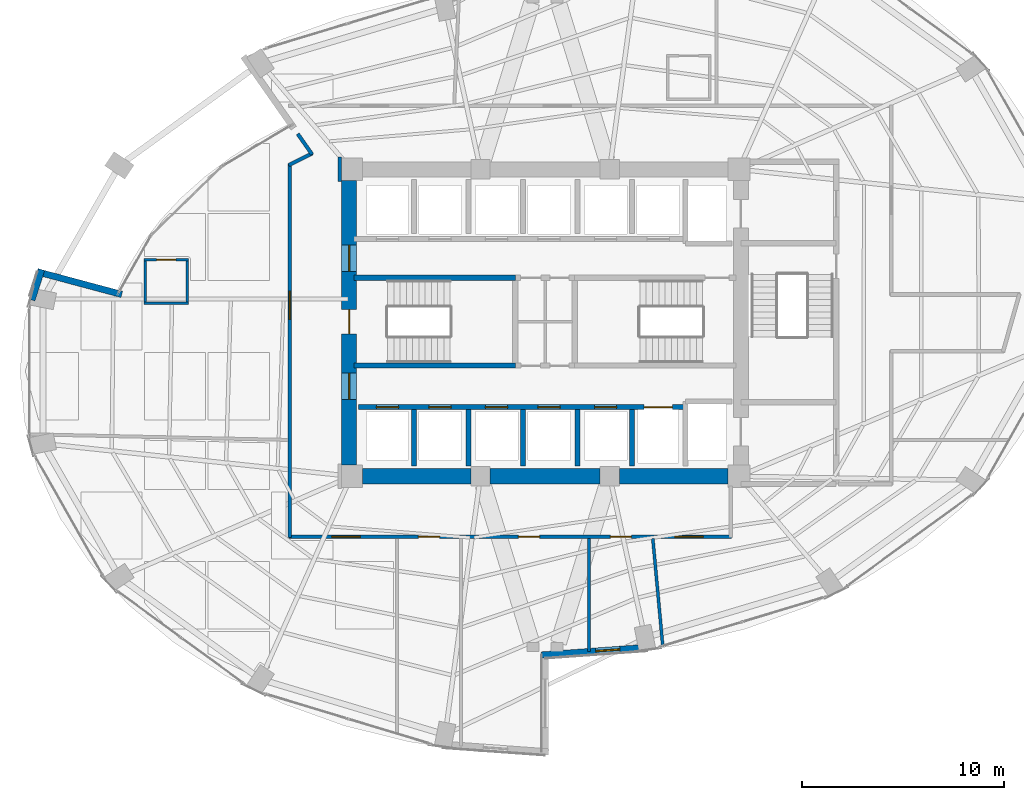
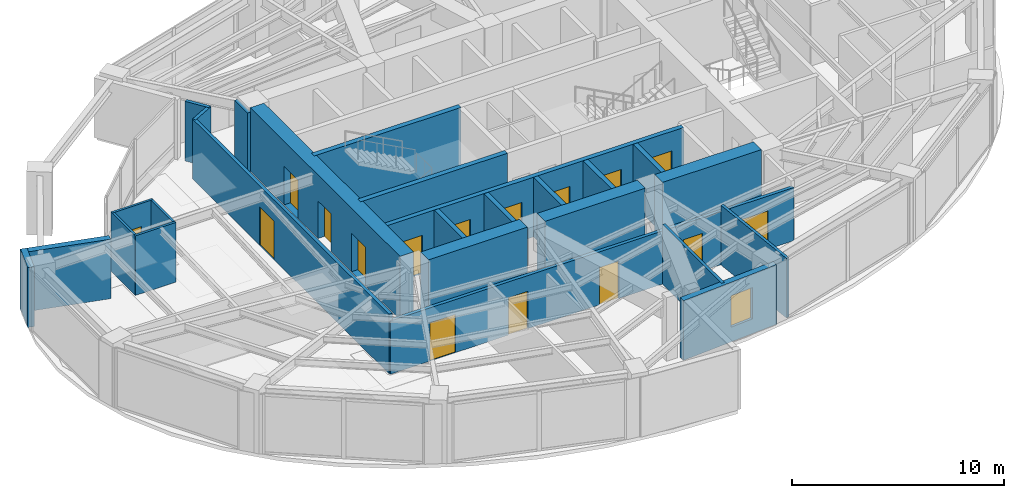
# One storey, part 20 of 24: 26 walls, 16 doors, 1 window, 17 openings.
"""IFC4 building model written with IfcOpenShell, lengths in metres."""

import ifcopenshell
import ifcopenshell.guid

model = None  # the IFC model being written
_history = None  # IfcOwnerHistory: only IFC2X3 demands one
_inside = {}  # id of a spatial element -> (the spatial element, [elements in it])
_under = {}  # id of a project, library or spatial element -> (it, [spatial elements below it])
_declared = {}  # id of a project -> (the project, [libraries it declares])
_typed = {}  # id of a type object -> (the type object, [elements of that type])
_made_of = {}  # id of a material, layer set ... -> (it, [elements and type objects made of it])


def new_model(schema):
    """Start an empty IFC model of exactly this schema.

    Asked for "IFC4X3", IfcOpenShell would pick the latest addendum, in which some entities
    have other attributes; the version numbers below select the first issue.
    IFC2X3 requires an IfcOwnerHistory on every rooted entity: one is made here for all.
    """
    global model, _history
    if schema == "IFC4X3":
        model = ifcopenshell.file(schema_version=(4, 3, 0, 0))
    else:
        model = ifcopenshell.file(schema=schema)
    _inside.clear()
    _under.clear()
    _declared.clear()
    _typed.clear()
    _made_of.clear()
    _history = None
    if model.schema == "IFC2X3":
        org = make("IfcOrganization", Name="unknown")
        user = make(
            "IfcPersonAndOrganization",
            ThePerson=make("IfcPerson", FamilyName="unknown"),
            TheOrganization=org,
        )
        app = make(
            "IfcApplication",
            ApplicationDeveloper=org,
            Version="unknown",
            ApplicationFullName="unknown",
            ApplicationIdentifier="unknown",
        )
        _history = make(
            "IfcOwnerHistory",
            OwningUser=user,
            OwningApplication=app,
            ChangeAction="ADDED",
            CreationDate=0,
        )
    return model


def make(cls, **values):
    """One entity of the class cls with the attributes given. An attribute that is None is left unset."""
    return model.create_entity(
        cls, **{name: value for name, value in values.items() if value is not None}
    )


def rooted(cls, **values):
    """An entity with a GlobalId (a new one), such as an element, a storey or a relation."""
    return make(cls, GlobalId=ifcopenshell.guid.new(), OwnerHistory=_history, **values)


def si_unit(unit_type, name, prefix=None):
    """IfcSIUnit, for example si_unit("LENGTHUNIT", "METRE", prefix="MILLI")."""
    return make("IfcSIUnit", UnitType=unit_type, Prefix=prefix, Name=name)


def assignment(units):
    """IfcUnitAssignment: the units of a project."""
    return None if units is None else make("IfcUnitAssignment", Units=units)


def point(xyz):
    """IfcCartesianPoint."""
    return None if xyz is None else make("IfcCartesianPoint", Coordinates=xyz)


def direction(xyz):
    """IfcDirection."""
    return None if xyz is None else make("IfcDirection", DirectionRatios=xyz)


def frame(location, z_axis=None, x_axis=None):
    """IfcAxis2Placement3D, a coordinate frame: its origin and axes. An axis left out is left unset."""
    return make(
        "IfcAxis2Placement3D",
        Location=point(location),
        Axis=direction(z_axis),
        RefDirection=direction(x_axis),
    )


def frame_2d(location, x_axis=None):
    """IfcAxis2Placement2D, a coordinate frame in the plane: its origin and x axis."""
    return make(
        "IfcAxis2Placement2D", Location=point(location), RefDirection=direction(x_axis)
    )


def origin():
    """The frame at (0, 0, 0) with its axes left unset."""
    return frame((0.0, 0.0, 0.0))


def place(relative_to, where):
    """IfcLocalPlacement: puts the frame where relative to a parent placement (None: the world)."""
    return make(
        "IfcLocalPlacement", PlacementRelTo=relative_to, RelativePlacement=where
    )


def context(
    kind, dimensions, precision=None, world=None, true_north=None, identifier=None
):
    """IfcGeometricRepresentationContext, for example the 3D "Model" context."""
    return make(
        "IfcGeometricRepresentationContext",
        ContextIdentifier=identifier,
        ContextType=kind,
        CoordinateSpaceDimension=dimensions,
        Precision=precision,
        WorldCoordinateSystem=world,
        TrueNorth=true_north,
    )


def subcontext(parent, identifier, kind, view, scale=None):
    """IfcGeometricRepresentationSubContext, for example "Body" below "Model"."""
    return make(
        "IfcGeometricRepresentationSubContext",
        ContextIdentifier=identifier,
        ContextType=kind,
        ParentContext=parent,
        TargetScale=scale,
        TargetView=view,
    )


def project(units=None, contexts=None):
    """IfcProject with its units and contexts."""
    return rooted(
        "IfcProject",
        Name="project",
        RepresentationContexts=contexts,
        UnitsInContext=assignment(units),
    )


def spatial(cls, under=None, at=None, **own):
    """A site, building, storey or space (cls), placed at a placement, below another one or the project."""
    s = rooted(cls, ObjectPlacement=at, **own)
    if under is not None:
        _under.setdefault(under.id(), (under, []))[1].append(s)
    return s


def profile(cls, at=None, kind="AREA", **sizes):
    """A parametric profile (cls). Its sizes go by their IFC names, for example OverallWidth=200.0."""
    return make(cls, ProfileType=kind, Position=at, **sizes)


def rectangle(**sizes):
    """IfcRectangleProfileDef."""
    return profile("IfcRectangleProfileDef", **sizes)


def extrude(swept, where, along, depth):
    """IfcExtrudedAreaSolid: the profile swept, set in the frame where, extruded along a direction by depth."""
    return make(
        "IfcExtrudedAreaSolid",
        SweptArea=swept,
        Position=where,
        ExtrudedDirection=direction(along),
        Depth=depth,
    )


def shape(context_of_items, identifier, shape_type, items):
    """IfcShapeRepresentation: the items that make up one representation, for example the "Body"."""
    return make(
        "IfcShapeRepresentation",
        ContextOfItems=context_of_items,
        RepresentationIdentifier=identifier,
        RepresentationType=shape_type,
        Items=items,
    )


def material(Name=None, Category=None):
    """IfcMaterial."""
    return make("IfcMaterial", Name=Name, Category=Category)


def layer(
    of_material, thickness, ventilated=None, Name=None, Category=None, Priority=None
):
    """IfcMaterialLayer: one layer of a wall or slab, of a material (None: an air gap)."""
    return make(
        "IfcMaterialLayer",
        Material=of_material,
        LayerThickness=thickness,
        IsVentilated=ventilated,
        Name=Name,
        Category=Category,
        Priority=Priority,
    )


def layer_set(layers, Name=None):
    """IfcMaterialLayerSet."""
    return make("IfcMaterialLayerSet", MaterialLayers=layers, LayerSetName=Name)


def made_of(thing, what):
    """Note that an element or type object is made of a material, layer set ...; save() writes the relation."""
    if what is not None:
        _made_of.setdefault(what.id(), (what, []))[1].append(thing)
    return thing


def type_object(cls, material=None, **own):
    """A type object (cls), such as IfcWallType, which elements share."""
    return made_of(rooted(cls, **own), material)


def element(
    cls,
    number,
    at=None,
    inside=None,
    cuts=None,
    type_object=None,
    material=None,
    context=None,
    identifier="Body",
    shape_type=None,
    held_by="IfcProductDefinitionShape",
    body=None,
    shapes=None,
    **own,
):
    """One element of the class cls, such as IfcWall. Its Tag is "e" and its number.

    at: its placement. inside: the storey or other place that contains it. cuts: it is an
    opening in that element (IfcRelVoidsElement). A single representation is given by context,
    identifier, shape_type and body (its items); several are given by shapes. held_by: the class
    of the entity that holds the representations. save() writes the other relations.
    """
    e = rooted(cls, Tag="e%d" % number, ObjectPlacement=at, **own)
    if body is not None:
        shapes = [shape(context, identifier, shape_type, body)]
    if shapes is not None:
        e.Representation = make(held_by, Representations=shapes)
    if inside is not None:
        _inside.setdefault(inside.id(), (inside, []))[1].append(e)
    if cuts is not None:
        rooted(
            "IfcRelVoidsElement", RelatingBuildingElement=cuts, RelatedOpeningElement=e
        )
    if type_object is not None:
        _typed.setdefault(type_object.id(), (type_object, []))[1].append(e)
    return made_of(e, material)


def fill(opening, filler):
    """IfcRelFillsElement: the door or window that sits in an opening."""
    return rooted(
        "IfcRelFillsElement",
        RelatingOpeningElement=opening,
        RelatedBuildingElement=filler,
    )


def aggregate(whole, parts):
    """IfcRelAggregates: a whole, such as a stair, and the parts it consists of."""
    return rooted("IfcRelAggregates", RelatingObject=whole, RelatedObjects=parts)


def save(model, path):
    """Write the relations noted so far, then the file.

    IfcRelAggregates (storeys below a building ...), IfcRelContainedInSpatialStructure (elements
    in a storey), IfcRelDefinesByType, IfcRelAssociatesMaterial and IfcRelDeclares: one each for
    every whole, place, type object, material and project.
    """
    for whole, parts in _under.values():
        aggregate(whole, parts)
    for where, things in _inside.values():
        rooted(
            "IfcRelContainedInSpatialStructure",
            RelatedElements=things,
            RelatingStructure=where,
        )
    for kind, things in _typed.values():
        rooted("IfcRelDefinesByType", RelatedObjects=things, RelatingType=kind)
    for what, things in _made_of.values():
        rooted("IfcRelAssociatesMaterial", RelatedObjects=things, RelatingMaterial=what)
    for by, libraries in _declared.values():
        rooted("IfcRelDeclares", RelatingContext=by, RelatedDefinitions=libraries)
    model.write(path)


model = new_model("IFC4")

# Units and contexts
model_context = context("Model", 3, precision=1e-05, world=origin(), true_north=direction((0.0, 1.0)))
body_context = subcontext(model_context, "Body", "Model", "MODEL_VIEW")
ifc_project = project(units=[si_unit("LENGTHUNIT", "METRE"), si_unit("AREAUNIT", "SQUARE_METRE"), si_unit("VOLUMEUNIT", "CUBIC_METRE"), si_unit("PLANEANGLEUNIT", "RADIAN"), si_unit("MASSUNIT", "GRAM", prefix="KILO")], contexts=[model_context])

# Site, building, storey
site_placement = place(None, origin())
site = spatial("IfcSite", under=ifc_project, at=site_placement, CompositionType="ELEMENT")
building_placement = place(site_placement, origin())
building = spatial("IfcBuilding", under=site, at=building_placement, Name="Lazwardi Medical Tower", CompositionType="ELEMENT")
storey_placement = place(building_placement, frame((0.0, 0.0, 114.575927734375)))
storey = spatial("IfcBuildingStorey", under=building, at=storey_placement, Name="L29", CompositionType="ELEMENT", Elevation=114.575927734375)

# Wall, opening, door
ifc_material_1 = material(Name="Fire-rated gypsum board on steel stud", Category="steel")
ifc_layer_1 = layer(ifc_material_1, 0.179931640625)
ifc_layer_set_1 = layer_set([ifc_layer_1], Name="Fire-rated gypsum board on steel stud")
wall_type_1 = type_object("IfcWallType", Name="WL-COR-180", PredefinedType="PARTITIONING", material=ifc_layer_set_1)
wall_1_placement = place(storey_placement, frame((23.35009765625, 17.360107421875, 0.0), z_axis=(0.0, 0.0, 1.0), x_axis=(0.0, 1.0, 0.0)))
wall_1 = element("IfcWall", 1, at=wall_1_placement, inside=storey, type_object=wall_type_1, Name="L29 Corridor partition 1", PredefinedType="PARTITIONING", context=body_context, shape_type="SweptSolid", body=[
    extrude(rectangle(XDim=18.504638671875, YDim=0.179931640625, at=frame_2d((9.25244140625, 0.0))), origin(), (0.0, 0.0, 1.0), 3.427978515625),
])
opening_1_placement = place(wall_1_placement, frame((10.814208984375, 0.0, 0.0)))
opening_1 = element("IfcOpeningElement", 2, at=opening_1_placement, cuts=wall_1, Name="Opening D-L29-019", PredefinedType="OPENING", context=body_context, shape_type="SweptSolid", body=[
    extrude(rectangle(XDim=1.39990234375, YDim=2.199951171875, at=frame_2d((0.699951171875, 1.10009765625))), frame((0.0, 0.099853515625, 0.0), z_axis=(0.0, -1.0, 0.0), x_axis=(1.0, 0.0, 0.0)), (0.0, 0.0, 1.0), 0.199951171875),
])
ifc_material_2 = material(Name="Anti-microbial laminate hospital leaf")
door_type_1 = type_object("IfcDoorType", Name="DR-BED-1400", OperationType="NOTDEFINED", PredefinedType="DOOR", material=ifc_material_2)
door_1_placement = place(opening_1_placement, origin())
door_1 = element("IfcDoor", 3, at=door_1_placement, inside=storey, type_object=door_type_1, Name="L29 Inpatient Ward Door 09", OperationType="SINGLE_SWING_RIGHT", OverallHeight=2.199951171875, OverallWidth=1.39990234375, PredefinedType="DOOR", context=body_context, shape_type="SweptSolid", body=[
    extrude(rectangle(XDim=1.39990234375, YDim=2.199951171875, at=frame_2d((0.699951171875, 1.10009765625))), frame((0.0, 0.02490234375, 0.0), z_axis=(0.0, -1.0, 0.0), x_axis=(1.0, 0.0, 0.0)), (0.0, 0.0, 1.0), 0.050048828125),
])
fill(opening_1, door_1)

# Walls
wall_2_placement = place(storey_placement, frame((23.314208984375, 35.806884765625, 0.0), z_axis=(0.0, 0.0, 1.0), x_axis=(0.894202026902, 0.447663640565, 0.0)))
element("IfcWall", 4, at=wall_2_placement, inside=storey, type_object=wall_type_1, Name="L29 Corridor partition 2", PredefinedType="PARTITIONING", context=body_context, shape_type="SweptSolid", body=[
    extrude(rectangle(XDim=1.3017578125, YDim=0.179931640625, at=frame_2d((0.65087890625, 0.0))), origin(), (0.0, 0.0, 1.0), 3.427978515625),
])
wall_3_placement = place(storey_placement, frame((24.46533203125, 36.339111328125, 0.0), z_axis=(0.0, 0.0, 1.0), x_axis=(-0.573541599177, 0.819176436437, 0.0)))
element("IfcWall", 5, at=wall_3_placement, inside=storey, type_object=wall_type_1, Name="L29 Corridor partition 3", PredefinedType="PARTITIONING", context=body_context, shape_type="SweptSolid", body=[
    extrude(rectangle(XDim=1.240478515625, YDim=0.179931640625, at=frame_2d((0.6201171875, 0.0))), origin(), (0.0, 0.0, 1.0), 3.427978515625),
])
wall_4_placement = place(storey_placement, frame((25.830078125, 36.2099609375, 0.0), z_axis=(0.0, 0.0, 1.0), x_axis=(0.0, -1.0, 0.0)))
element("IfcWall", 6, at=wall_4_placement, inside=storey, type_object=wall_type_1, Name="L29 Corridor partition 11", PredefinedType="PARTITIONING", context=body_context, shape_type="SweptSolid", body=[
    extrude(rectangle(XDim=1.219970703125, YDim=0.179931640625, at=frame_2d((0.60986328125, 0.0))), origin(), (0.0, 0.0, 1.0), 3.427978515625),
])

# Wall, openings, doors
wall_5_placement = place(storey_placement, frame((45.239990234375, 17.39990234375, 0.0), z_axis=(0.0, 0.0, 1.0), x_axis=(-1.0, 0.0, 0.0)))
wall_5 = element("IfcWall", 7, at=wall_5_placement, inside=storey, type_object=wall_type_1, Name="L29 Corridor partition 14", PredefinedType="PARTITIONING", context=body_context, shape_type="SweptSolid", body=[
    extrude(rectangle(XDim=21.929931640625, YDim=0.179931640625, at=frame_2d((10.96484375, 0.0))), origin(), (0.0, 0.0, 1.0), 3.052978515625),
])
opening_2_placement = place(wall_5_placement, frame((18.39111328125, 0.0, 0.0)))
opening_2 = element("IfcOpeningElement", 8, at=opening_2_placement, cuts=wall_5, Name="Opening D-L29-011", PredefinedType="OPENING", context=body_context, shape_type="SweptSolid", body=[
    extrude(rectangle(XDim=1.39990234375, YDim=2.199951171875, at=frame_2d((0.699951171875, 1.10009765625))), frame((0.0, 0.099853515625, 0.0), z_axis=(0.0, -1.0, 0.0), x_axis=(1.0, 0.0, 0.0)), (0.0, 0.0, 1.0), 0.199951171875),
])
opening_3_placement = place(wall_5_placement, frame((14.465087890625, 0.0, 0.0)))
opening_3 = element("IfcOpeningElement", 9, at=opening_3_placement, cuts=wall_5, Name="Opening D-L29-012", PredefinedType="OPENING", context=body_context, shape_type="SweptSolid", body=[
    extrude(rectangle(XDim=1.050048828125, YDim=2.14990234375, at=frame_2d((0.52490234375, 1.074951171875))), frame((0.0, 0.099853515625, 0.0), z_axis=(0.0, -1.0, 0.0), x_axis=(1.0, 0.0, 0.0)), (0.0, 0.0, 1.0), 0.199951171875),
])
opening_4_placement = place(wall_5_placement, frame((9.514892578125, 0.0, 0.0)))
opening_4 = element("IfcOpeningElement", 10, at=opening_4_placement, cuts=wall_5, Name="Opening D-L29-013", PredefinedType="OPENING", context=body_context, shape_type="SweptSolid", body=[
    extrude(rectangle(XDim=1.050048828125, YDim=2.14990234375, at=frame_2d((0.52490234375, 1.074951171875))), frame((0.0, 0.099853515625, 0.0), z_axis=(0.0, -1.0, 0.0), x_axis=(1.0, 0.0, 0.0)), (0.0, 0.0, 1.0), 0.199951171875),
])
opening_5_placement = place(wall_5_placement, frame((4.96142578125, 0.0, 0.0)))
opening_5 = element("IfcOpeningElement", 11, at=opening_5_placement, cuts=wall_5, Name="Opening D-L29-014", PredefinedType="OPENING", context=body_context, shape_type="SweptSolid", body=[
    extrude(rectangle(XDim=1.050048828125, YDim=2.14990234375, at=frame_2d((0.52490234375, 1.074951171875))), frame((0.0, 0.099853515625, 0.0), z_axis=(0.0, -1.0, 0.0), x_axis=(1.0, 0.0, 0.0)), (0.0, 0.0, 1.0), 0.199951171875),
])
opening_6_placement = place(wall_5_placement, frame((1.41015625, 0.0, 0.0)))
opening_6 = element("IfcOpeningElement", 12, at=opening_6_placement, cuts=wall_5, Name="Opening D-L29-015", PredefinedType="OPENING", context=body_context, shape_type="SweptSolid", body=[
    extrude(rectangle(XDim=1.39990234375, YDim=2.199951171875, at=frame_2d((0.699951171875, 1.10009765625))), frame((0.0, 0.099853515625, 0.0), z_axis=(0.0, -1.0, 0.0), x_axis=(1.0, 0.0, 0.0)), (0.0, 0.0, 1.0), 0.199951171875),
])
door_2_placement = place(opening_2_placement, origin())
door_2 = element("IfcDoor", 13, at=door_2_placement, inside=storey, type_object=door_type_1, Name="L29 Sky Garden Lounge Door 01", OperationType="SINGLE_SWING_RIGHT", OverallHeight=2.199951171875, OverallWidth=1.39990234375, PredefinedType="DOOR", context=body_context, shape_type="SweptSolid", body=[
    extrude(rectangle(XDim=1.39990234375, YDim=2.199951171875, at=frame_2d((0.699951171875, 1.10009765625))), frame((0.0, 0.02490234375, 0.0), z_axis=(0.0, -1.0, 0.0), x_axis=(1.0, 0.0, 0.0)), (0.0, 0.0, 1.0), 0.050048828125),
])
fill(opening_2, door_2)
door_3_placement = place(opening_6_placement, origin())
door_3 = element("IfcDoor", 14, at=door_3_placement, inside=storey, type_object=door_type_1, Name="L29 Inpatient Ward Door 05", OperationType="SINGLE_SWING_RIGHT", OverallHeight=2.199951171875, OverallWidth=1.39990234375, PredefinedType="DOOR", context=body_context, shape_type="SweptSolid", body=[
    extrude(rectangle(XDim=1.39990234375, YDim=2.199951171875, at=frame_2d((0.699951171875, 1.10009765625))), frame((0.0, 0.02490234375, 0.0), z_axis=(0.0, -1.0, 0.0), x_axis=(1.0, 0.0, 0.0)), (0.0, 0.0, 1.0), 0.050048828125),
])
fill(opening_6, door_3)
door_type_2 = type_object("IfcDoorType", Name="DR-CLN-1050", OperationType="NOTDEFINED", PredefinedType="DOOR", material=ifc_material_2)
door_4_placement = place(opening_3_placement, origin())
door_4 = element("IfcDoor", 15, at=door_4_placement, inside=storey, type_object=door_type_2, Name="L29 Clinical Specialist Office Door 02", OperationType="SINGLE_SWING_LEFT", OverallHeight=2.14990234375, OverallWidth=1.050048828125, PredefinedType="DOOR", context=body_context, shape_type="SweptSolid", body=[
    extrude(rectangle(XDim=1.050048828125, YDim=2.14990234375, at=frame_2d((0.52490234375, 1.074951171875))), frame((0.0, 0.02490234375, 0.0), z_axis=(0.0, -1.0, 0.0), x_axis=(1.0, 0.0, 0.0)), (0.0, 0.0, 1.0), 0.050048828125),
])
fill(opening_3, door_4)
door_5_placement = place(opening_4_placement, origin())
door_5 = element("IfcDoor", 16, at=door_5_placement, inside=storey, type_object=door_type_2, Name="L29 Ward Dietetic Pantry Door 03", OperationType="SINGLE_SWING_RIGHT", OverallHeight=2.14990234375, OverallWidth=1.050048828125, PredefinedType="DOOR", context=body_context, shape_type="SweptSolid", body=[
    extrude(rectangle(XDim=1.050048828125, YDim=2.14990234375, at=frame_2d((0.52490234375, 1.074951171875))), frame((0.0, 0.02490234375, 0.0), z_axis=(0.0, -1.0, 0.0), x_axis=(1.0, 0.0, 0.0)), (0.0, 0.0, 1.0), 0.050048828125),
])
fill(opening_4, door_5)
door_6_placement = place(opening_5_placement, origin())
door_6 = element("IfcDoor", 17, at=door_6_placement, inside=storey, type_object=door_type_2, Name="L29 Medical Duty Staff Room Door 04", OperationType="SINGLE_SWING_LEFT", OverallHeight=2.14990234375, OverallWidth=1.050048828125, PredefinedType="DOOR", context=body_context, shape_type="SweptSolid", body=[
    extrude(rectangle(XDim=1.050048828125, YDim=2.14990234375, at=frame_2d((0.52490234375, 1.074951171875))), frame((0.0, 0.02490234375, 0.0), z_axis=(0.0, -1.0, 0.0), x_axis=(1.0, 0.0, 0.0)), (0.0, 0.0, 1.0), 0.050048828125),
])
fill(opening_5, door_6)

ifc_material_3 = material(Name="Concrete C70/85", Category="concrete")
ifc_layer_2 = layer(ifc_material_3, 0.75)
ifc_layer_set_2 = layer_set([ifc_layer_2], Name="Concrete C70/85")
wall_type_2 = type_object("IfcWallType", Name="WL-CORE-750", PredefinedType="SHEAR", material=ifc_layer_set_2)
wall_6_placement = place(storey_placement, frame((26.300048828125, 20.949951171875, 0.0), z_axis=(0.0, 0.0, 1.0), x_axis=(0.0, 1.0, 0.0)))
wall_6 = element("IfcWall", 18, at=wall_6_placement, inside=storey, type_object=wall_type_2, Name="Core wall CW-S2 west L29", PredefinedType="SHEAR", context=body_context, shape_type="SweptSolid", body=[
    extrude(rectangle(XDim=14.10009765625, YDim=0.75, at=frame_2d((7.050048828125, 0.0))), origin(), (0.0, 0.0, 1.0), 3.648193359375),
])
opening_7_placement = place(wall_6_placement, frame((6.5, 0.0, 0.0)))
opening_7 = element("IfcOpeningElement", 19, at=opening_7_placement, cuts=wall_6, Name="Opening D-L29-020", PredefinedType="OPENING", context=body_context, shape_type="SweptSolid", body=[
    extrude(rectangle(XDim=1.199951171875, YDim=2.14990234375, at=frame_2d((0.60009765625, 1.074951171875))), frame((0.0, 0.385009765625, 0.0), z_axis=(0.0, -1.0, 0.0), x_axis=(1.0, 0.0, 0.0)), (0.0, 0.0, 1.0), 0.77001953125),
])
opening_8_placement = place(wall_6_placement, frame((9.60009765625, 0.0, 0.0)))
opening_8 = element("IfcOpeningElement", 20, at=opening_8_placement, cuts=wall_6, Name="Opening D-L29-009", PredefinedType="OPENING", context=body_context, shape_type="SweptSolid", body=[
    extrude(rectangle(XDim=1.300048828125, YDim=2.199951171875, at=frame_2d((0.64990234375, 1.10009765625))), frame((0.0, 0.385009765625, 0.0), z_axis=(0.0, -1.0, 0.0), x_axis=(1.0, 0.0, 0.0)), (0.0, 0.0, 1.0), 0.77001953125),
])
opening_9_placement = place(wall_6_placement, frame((3.260009765625, 0.0, 0.0)))
opening_9 = element("IfcOpeningElement", 21, at=opening_9_placement, cuts=wall_6, Name="Opening D-L29-010", PredefinedType="OPENING", context=body_context, shape_type="SweptSolid", body=[
    extrude(rectangle(XDim=1.300048828125, YDim=2.199951171875, at=frame_2d((0.64990234375, 1.10009765625))), frame((0.0, 0.385009765625, 0.0), z_axis=(0.0, -1.0, 0.0), x_axis=(1.0, 0.0, 0.0)), (0.0, 0.0, 1.0), 0.77001953125),
])
ifc_material_4 = material(Name="Fire-rated steel leaf and frame", Category="steel")
door_type_3 = type_object("IfcDoorType", Name="DR-FFL-1300", OperationType="NOTDEFINED", PredefinedType="DOOR", material=ifc_material_4)
door_7_placement = place(opening_8_placement, origin())
door_7 = element("IfcDoor", 22, at=door_7_placement, inside=storey, type_object=door_type_3, Name="L29 North Lift Lobby Door", OperationType="SINGLE_SWING_LEFT", OverallHeight=2.199951171875, OverallWidth=1.300048828125, PredefinedType="DOOR", context=body_context, shape_type="SweptSolid", body=[
    extrude(rectangle(XDim=1.300048828125, YDim=2.199951171875, at=frame_2d((0.64990234375, 1.10009765625))), frame((0.0, 0.02490234375, 0.0), z_axis=(0.0, -1.0, 0.0), x_axis=(1.0, 0.0, 0.0)), (0.0, 0.0, 1.0), 0.050048828125),
])
fill(opening_8, door_7)
door_8_placement = place(opening_9_placement, origin())
door_8 = element("IfcDoor", 23, at=door_8_placement, inside=storey, type_object=door_type_3, Name="L29 South Lift Lobby Door", OperationType="SINGLE_SWING_RIGHT", OverallHeight=2.199951171875, OverallWidth=1.300048828125, PredefinedType="DOOR", context=body_context, shape_type="SweptSolid", body=[
    extrude(rectangle(XDim=1.300048828125, YDim=2.199951171875, at=frame_2d((0.64990234375, 1.10009765625))), frame((0.0, 0.02490234375, 0.0), z_axis=(0.0, -1.0, 0.0), x_axis=(1.0, 0.0, 0.0)), (0.0, 0.0, 1.0), 0.050048828125),
])
fill(opening_9, door_8)
door_type_4 = type_object("IfcDoorType", Name="DR-STR-1200", OperationType="NOTDEFINED", PredefinedType="DOOR", material=ifc_material_4)
door_9_placement = place(opening_7_placement, origin())
door_9 = element("IfcDoor", 24, at=door_9_placement, inside=storey, type_object=door_type_4, Name="L29 Exit Stair ST1 Door", OperationType="SINGLE_SWING_LEFT", OverallHeight=2.14990234375, OverallWidth=1.199951171875, PredefinedType="DOOR", context=body_context, shape_type="SweptSolid", body=[
    extrude(rectangle(XDim=1.199951171875, YDim=2.14990234375, at=frame_2d((0.60009765625, 1.074951171875))), frame((0.0, 0.02490234375, 0.0), z_axis=(0.0, -1.0, 0.0), x_axis=(1.0, 0.0, 0.0)), (0.0, 0.0, 1.0), 0.050048828125),
])
fill(opening_7, door_9)

# Walls
wall_7_placement = place(storey_placement, frame((26.949951171875, 20.39990234375, 0.0), z_axis=(0.0, 0.0, 1.0), x_axis=(1.0, 0.0, 0.0)))
element("IfcWall", 25, at=wall_7_placement, inside=storey, type_object=wall_type_2, Name="Core wall CW-S2 S1 L29", PredefinedType="SHEAR", context=body_context, shape_type="SweptSolid", body=[
    extrude(rectangle(XDim=5.375, YDim=0.75, at=frame_2d((2.6875, 0.0))), origin(), (0.0, 0.0, 1.0), 3.648193359375),
])
wall_8_placement = place(storey_placement, frame((33.27490234375, 20.39990234375, 0.0), z_axis=(0.0, 0.0, 1.0), x_axis=(1.0, 0.0, 0.0)))
element("IfcWall", 26, at=wall_8_placement, inside=storey, type_object=wall_type_2, Name="Core wall CW-S2 S2 L29", PredefinedType="SHEAR", context=body_context, shape_type="SweptSolid", body=[
    extrude(rectangle(XDim=5.4501953125, YDim=0.75, at=frame_2d((2.72509765625, 0.0))), origin(), (0.0, 0.0, 1.0), 3.648193359375),
])
wall_9_placement = place(storey_placement, frame((39.675048828125, 20.39990234375, 0.0), z_axis=(0.0, 0.0, 1.0), x_axis=(1.0, 0.0, 0.0)))
element("IfcWall", 27, at=wall_9_placement, inside=storey, type_object=wall_type_2, Name="Core wall CW-S2 S3 L29", PredefinedType="SHEAR", context=body_context, shape_type="SweptSolid", body=[
    extrude(rectangle(XDim=5.375, YDim=0.75, at=frame_2d((2.6875, 0.0))), origin(), (0.0, 0.0, 1.0), 3.648193359375),
])

# Wall, opening, door
ifc_material_5 = material(Name="Moisture-resistant gypsum board partition")
ifc_layer_3 = layer(ifc_material_5, 0.125)
ifc_layer_set_3 = layer_set([ifc_layer_3], Name="Moisture-resistant gypsum board partition")
wall_type_3 = type_object("IfcWallType", Name="WL-ENS-125", PredefinedType="PARTITIONING", material=ifc_layer_set_3)
wall_10_placement = place(storey_placement, frame((16.130615234375, 31.12841796875, 0.0), z_axis=(0.0, 0.0, 1.0), x_axis=(1.0, 0.0, 0.0)))
wall_10 = element("IfcWall", 28, at=wall_10_placement, inside=storey, type_object=wall_type_3, Name="L29 En-suite wall 9N", PredefinedType="PARTITIONING", context=body_context, shape_type="SweptSolid", body=[
    extrude(rectangle(XDim=2.219970703125, YDim=0.125, at=frame_2d((1.10986328125, 0.0))), origin(), (0.0, 0.0, 1.0), 3.427978515625),
])
opening_10_placement = place(wall_10_placement, frame((0.635009765625, 0.0, 0.0)))
opening_10 = element("IfcOpeningElement", 29, at=opening_10_placement, cuts=wall_10, Name="Opening D-L29-006", PredefinedType="OPENING", context=body_context, shape_type="SweptSolid", body=[
    extrude(rectangle(XDim=0.949951171875, YDim=2.10009765625, at=frame_2d((0.47509765625, 1.050048828125))), frame((0.0, 0.072509765625, 0.0), z_axis=(0.0, -1.0, 0.0), x_axis=(1.0, 0.0, 0.0)), (0.0, 0.0, 1.0), 0.14501953125),
])
ifc_material_6 = material(Name="Moisture-resistant laminate door leaf")
door_type_5 = type_object("IfcDoorType", Name="DR-ENS-950", OperationType="NOTDEFINED", PredefinedType="DOOR", material=ifc_material_6)
door_10_placement = place(opening_10_placement, origin())
door_10 = element("IfcDoor", 30, at=door_10_placement, inside=storey, type_object=door_type_5, Name="L29 En-suite Door 09", OperationType="SINGLE_SWING_LEFT", OverallHeight=2.10009765625, OverallWidth=0.949951171875, PredefinedType="DOOR", context=body_context, shape_type="SweptSolid", body=[
    extrude(rectangle(XDim=0.949951171875, YDim=2.10009765625, at=frame_2d((0.47509765625, 1.050048828125))), frame((0.0, 0.02490234375, 0.0), z_axis=(0.0, -1.0, 0.0), x_axis=(1.0, 0.0, 0.0)), (0.0, 0.0, 1.0), 0.050048828125),
])
fill(opening_10, door_10)

# Walls
wall_11_placement = place(storey_placement, frame((16.130615234375, 28.968505859375, 0.0), z_axis=(0.0, 0.0, 1.0), x_axis=(1.0, 0.0, 0.0)))
element("IfcWall", 31, at=wall_11_placement, inside=storey, type_object=wall_type_3, Name="L29 En-suite wall 9S", PredefinedType="PARTITIONING", context=body_context, shape_type="SweptSolid", body=[
    extrude(rectangle(XDim=2.219970703125, YDim=0.125, at=frame_2d((1.10986328125, 0.0))), origin(), (0.0, 0.0, 1.0), 3.427978515625),
])
for number, where, z_axis, x_axis, name in (
    (32, (18.290771484375, 28.908447265625, 0.0), (0.0, 0.0, 1.0), (0.0, 1.0, 0.0), "L29 En-suite wall 9E"),
    (33, (16.190673828125, 28.908447265625, 0.0), (0.0, 0.0, 1.0), (0.0, 1.0, 0.0), "L29 En-suite wall 9W"),
):
    element("IfcWall", number, at=place(storey_placement, frame(where, z_axis=z_axis, x_axis=x_axis)), inside=storey, type_object=wall_type_3, Name=name, PredefinedType="PARTITIONING", context=body_context, shape_type="SweptSolid", body=[
        extrude(rectangle(XDim=2.280029296875, YDim=0.125, at=frame_2d((1.14013671875, 0.0))), origin(), (0.0, 0.0, 1.0), 3.427978515625),
    ])

# Wall, opening, window
ifc_material_7 = material(Name="Precast concrete C45/55", Category="concrete")
ifc_layer_4 = layer(ifc_material_7, 0.320068359375)
ifc_layer_set_4 = layer_set([ifc_layer_4], Name="Precast concrete C45/55")
wall_type_4 = type_object("IfcWallType", Name="WL-IWAN-320", PredefinedType="SOLIDWALL", material=ifc_layer_set_4)
wall_12_placement = place(storey_placement, frame((35.820556640625, 11.547119140625, 0.0), z_axis=(0.0, 0.0, 1.0), x_axis=(0.997432364291, 0.071614793619, 0.0)))
wall_12 = element("IfcWall", 34, at=wall_12_placement, inside=storey, type_object=wall_type_4, Name="L29 Iwan Portal Return Wall SE_ret", PredefinedType="SOLIDWALL", context=body_context, shape_type="SweptSolid", body=[
    extrude(rectangle(XDim=5.2841796875, YDim=0.320068359375, at=frame_2d((2.64208984375, 0.0))), origin(), (0.0, 0.0, 1.0), 3.427978515625),
])
opening_11_placement = place(wall_12_placement, frame((2.696533203125, 0.0, 0.85009765625)))
opening_11 = element("IfcOpeningElement", 35, at=opening_11_placement, cuts=wall_12, Name="Opening WN-04", PredefinedType="OPENING", context=body_context, shape_type="SweptSolid", body=[
    extrude(rectangle(XDim=1.199951171875, YDim=1.800048828125, at=frame_2d((0.60009765625, 0.89990234375))), frame((0.0, 0.169921875, 0.0), z_axis=(0.0, -1.0, 0.0), x_axis=(1.0, 0.0, 0.0)), (0.0, 0.0, 1.0), 0.340087890625),
])
ifc_material_8 = material(Name="Low-e bronze solar control double glazing", Category="glass")
window_type = type_object("IfcWindowType", Name="WIN-DRUM-1200", PartitioningType="SINGLE_PANEL", PredefinedType="WINDOW", material=ifc_material_8)
window_placement = place(opening_11_placement, origin())
window = element("IfcWindow", 36, at=window_placement, inside=storey, type_object=window_type, Name="L29 Iwan Slot Window SE_ret", OverallHeight=1.800048828125, OverallWidth=1.199951171875, PartitioningType="SINGLE_PANEL", PredefinedType="WINDOW", context=body_context, shape_type="SweptSolid", body=[
    extrude(rectangle(XDim=1.199951171875, YDim=1.800048828125, at=frame_2d((0.60009765625, 0.89990234375))), frame((0.0, 0.030029296875, 0.0), z_axis=(0.0, -1.0, 0.0), x_axis=(1.0, 0.0, 0.0)), (0.0, 0.0, 1.0), 0.06005859375),
])
fill(opening_11, window)

# Walls
wall_13_placement = place(storey_placement, frame((10.847412109375, 30.52783203125, 0.0), z_axis=(0.0, 0.0, 1.0), x_axis=(0.965921433008, -0.258835440493, 0.0)))
element("IfcWall", 37, at=wall_13_placement, inside=storey, type_object=wall_type_4, Name="L29 Sky Garden SG2 Flank Wall S1", PredefinedType="SOLIDWALL", context=body_context, shape_type="SweptSolid", body=[
    extrude(rectangle(XDim=4.33984375, YDim=0.320068359375, at=frame_2d((2.169921875, 0.0))), origin(), (0.0, 0.0, 1.0), 3.427978515625),
])
wall_14_placement = place(storey_placement, frame((11.06982421875, 30.6337890625, 0.0), z_axis=(0.0, 0.0, 1.0), x_axis=(-0.304490127284, -0.95251549194, 0.0)))
element("IfcWall", 38, at=wall_14_placement, inside=storey, type_object=wall_type_4, Name="L29 Sky Garden SG2 Jamb Return Wall", PredefinedType="SOLIDWALL", context=body_context, shape_type="SweptSolid", body=[
    extrude(rectangle(XDim=1.58203125, YDim=0.320068359375, at=frame_2d((0.791015625, 0.0))), origin(), (0.0, 0.0, 1.0), 3.427978515625),
])

# Wall, openings, doors
ifc_material_9 = material(Name="Autoclaved aerated concrete blockwork", Category="masonry")
ifc_layer_5 = layer(ifc_material_9, 0.25)
ifc_layer_set_5 = layer_set([ifc_layer_5], Name="Autoclaved aerated concrete blockwork")
wall_type_5 = type_object("IfcWallType", Name="WL-SHAFT-250", PredefinedType="SOLIDWALL", material=ifc_layer_set_5)
wall_15_placement = place(storey_placement, frame((26.75, 23.830078125, 0.0), z_axis=(0.0, 0.0, 1.0), x_axis=(1.0, 0.0, 0.0)))
wall_15 = element("IfcWall", 39, at=wall_15_placement, inside=storey, type_object=wall_type_5, Name="L29 South lift bank front wall", PredefinedType="SOLIDWALL", context=body_context, shape_type="SweptSolid", body=[
    extrude(rectangle(XDim=16.199951171875, YDim=0.25, at=frame_2d((8.10009765625, 0.0))), origin(), (0.0, 0.0, 1.0), 3.427978515625),
])
opening_12_placement = place(wall_15_placement, frame((0.89990234375, 0.0, 0.0)))
opening_12 = element("IfcOpeningElement", 40, at=opening_12_placement, cuts=wall_15, Name="Opening LD-L29-006", PredefinedType="OPENING", context=body_context, shape_type="SweptSolid", body=[
    extrude(rectangle(XDim=1.10009765625, YDim=2.199951171875, at=frame_2d((0.550048828125, 1.10009765625))), frame((0.0, 0.135009765625, 0.0), z_axis=(0.0, -1.0, 0.0), x_axis=(1.0, 0.0, 0.0)), (0.0, 0.0, 1.0), 0.27001953125),
])
opening_13_placement = place(wall_15_placement, frame((3.5, 0.0, 0.0)))
opening_13 = element("IfcOpeningElement", 41, at=opening_13_placement, cuts=wall_15, Name="Opening LD-L29-007", PredefinedType="OPENING", context=body_context, shape_type="SweptSolid", body=[
    extrude(rectangle(XDim=1.10009765625, YDim=2.199951171875, at=frame_2d((0.550048828125, 1.10009765625))), frame((0.0, 0.135009765625, 0.0), z_axis=(0.0, -1.0, 0.0), x_axis=(1.0, 0.0, 0.0)), (0.0, 0.0, 1.0), 0.27001953125),
])
opening_14_placement = place(wall_15_placement, frame((6.300048828125, 0.0, 0.0)))
opening_14 = element("IfcOpeningElement", 42, at=opening_14_placement, cuts=wall_15, Name="Opening LD-L29-010", PredefinedType="OPENING", context=body_context, shape_type="SweptSolid", body=[
    extrude(rectangle(XDim=1.10009765625, YDim=2.199951171875, at=frame_2d((0.550048828125, 1.10009765625))), frame((0.0, 0.135009765625, 0.0), z_axis=(0.0, -1.0, 0.0), x_axis=(1.0, 0.0, 0.0)), (0.0, 0.0, 1.0), 0.27001953125),
])
opening_15_placement = place(wall_15_placement, frame((8.89990234375, 0.0, 0.0)))
opening_15 = element("IfcOpeningElement", 43, at=opening_15_placement, cuts=wall_15, Name="Opening LD-L29-011", PredefinedType="OPENING", context=body_context, shape_type="SweptSolid", body=[
    extrude(rectangle(XDim=1.10009765625, YDim=2.199951171875, at=frame_2d((0.550048828125, 1.10009765625))), frame((0.0, 0.135009765625, 0.0), z_axis=(0.0, -1.0, 0.0), x_axis=(1.0, 0.0, 0.0)), (0.0, 0.0, 1.0), 0.27001953125),
])
opening_16_placement = place(wall_15_placement, frame((11.699951171875, 0.0, 0.0)))
opening_16 = element("IfcOpeningElement", 44, at=opening_16_placement, cuts=wall_15, Name="Opening LD-L29-014", PredefinedType="OPENING", context=body_context, shape_type="SweptSolid", body=[
    extrude(rectangle(XDim=1.10009765625, YDim=2.199951171875, at=frame_2d((0.550048828125, 1.10009765625))), frame((0.0, 0.135009765625, 0.0), z_axis=(0.0, -1.0, 0.0), x_axis=(1.0, 0.0, 0.0)), (0.0, 0.0, 1.0), 0.27001953125),
])
opening_17_placement = place(wall_15_placement, frame((14.14990234375, 0.0, 0.0)))
opening_17 = element("IfcOpeningElement", 45, at=opening_17_placement, cuts=wall_15, Name="Opening LD-L29-003", PredefinedType="OPENING", context=body_context, shape_type="SweptSolid", body=[
    extrude(rectangle(XDim=1.39990234375, YDim=2.300048828125, at=frame_2d((0.699951171875, 1.14990234375))), frame((0.0, 0.135009765625, 0.0), z_axis=(0.0, -1.0, 0.0), x_axis=(1.0, 0.0, 0.0)), (0.0, 0.0, 1.0), 0.27001953125),
])
ifc_material_10 = material(Name="Brushed bronze stainless steel landing door", Category="steel")
door_type_6 = type_object("IfcDoorType", Name="DR-LFT-1100", OperationType="NOTDEFINED", PredefinedType="DOOR", material=ifc_material_10)
door_11_placement = place(opening_12_placement, origin())
door_11 = element("IfcDoor", 46, at=door_11_placement, inside=storey, type_object=door_type_6, Name="L29 Lift Landing Door PL-03", OperationType="SLIDING_TO_LEFT", OverallHeight=2.199951171875, OverallWidth=1.10009765625, PredefinedType="DOOR", context=body_context, shape_type="SweptSolid", body=[
    extrude(rectangle(XDim=1.10009765625, YDim=2.199951171875, at=frame_2d((0.550048828125, 1.10009765625))), frame((0.0, 0.02490234375, 0.0), z_axis=(0.0, -1.0, 0.0), x_axis=(1.0, 0.0, 0.0)), (0.0, 0.0, 1.0), 0.050048828125),
])
fill(opening_12, door_11)
door_12_placement = place(opening_13_placement, origin())
door_12 = element("IfcDoor", 47, at=door_12_placement, inside=storey, type_object=door_type_6, Name="L29 Lift Landing Door PL-04", OperationType="SLIDING_TO_LEFT", OverallHeight=2.199951171875, OverallWidth=1.10009765625, PredefinedType="DOOR", context=body_context, shape_type="SweptSolid", body=[
    extrude(rectangle(XDim=1.10009765625, YDim=2.199951171875, at=frame_2d((0.550048828125, 1.10009765625))), frame((0.0, 0.02490234375, 0.0), z_axis=(0.0, -1.0, 0.0), x_axis=(1.0, 0.0, 0.0)), (0.0, 0.0, 1.0), 0.050048828125),
])
fill(opening_13, door_12)
door_13_placement = place(opening_14_placement, origin())
door_13 = element("IfcDoor", 48, at=door_13_placement, inside=storey, type_object=door_type_6, Name="L29 Lift Landing Door PL-07", OperationType="SLIDING_TO_LEFT", OverallHeight=2.199951171875, OverallWidth=1.10009765625, PredefinedType="DOOR", context=body_context, shape_type="SweptSolid", body=[
    extrude(rectangle(XDim=1.10009765625, YDim=2.199951171875, at=frame_2d((0.550048828125, 1.10009765625))), frame((0.0, 0.02490234375, 0.0), z_axis=(0.0, -1.0, 0.0), x_axis=(1.0, 0.0, 0.0)), (0.0, 0.0, 1.0), 0.050048828125),
])
fill(opening_14, door_13)
door_14_placement = place(opening_15_placement, origin())
door_14 = element("IfcDoor", 49, at=door_14_placement, inside=storey, type_object=door_type_6, Name="L29 Lift Landing Door PL-08", OperationType="SLIDING_TO_LEFT", OverallHeight=2.199951171875, OverallWidth=1.10009765625, PredefinedType="DOOR", context=body_context, shape_type="SweptSolid", body=[
    extrude(rectangle(XDim=1.10009765625, YDim=2.199951171875, at=frame_2d((0.550048828125, 1.10009765625))), frame((0.0, 0.02490234375, 0.0), z_axis=(0.0, -1.0, 0.0), x_axis=(1.0, 0.0, 0.0)), (0.0, 0.0, 1.0), 0.050048828125),
])
fill(opening_15, door_14)
door_15_placement = place(opening_16_placement, origin())
door_15 = element("IfcDoor", 50, at=door_15_placement, inside=storey, type_object=door_type_6, Name="L29 Lift Landing Door PL-11", OperationType="SLIDING_TO_LEFT", OverallHeight=2.199951171875, OverallWidth=1.10009765625, PredefinedType="DOOR", context=body_context, shape_type="SweptSolid", body=[
    extrude(rectangle(XDim=1.10009765625, YDim=2.199951171875, at=frame_2d((0.550048828125, 1.10009765625))), frame((0.0, 0.02490234375, 0.0), z_axis=(0.0, -1.0, 0.0), x_axis=(1.0, 0.0, 0.0)), (0.0, 0.0, 1.0), 0.050048828125),
])
fill(opening_16, door_15)
ifc_material_11 = material(Name="Brushed stainless steel bed-lift landing door", Category="steel")
door_type_7 = type_object("IfcDoorType", Name="DR-LFT-1400", OperationType="NOTDEFINED", PredefinedType="DOOR", material=ifc_material_11)
door_16_placement = place(opening_17_placement, origin())
door_16 = element("IfcDoor", 51, at=door_16_placement, inside=storey, type_object=door_type_7, Name="L29 Lift Landing Door FL-03", OperationType="SLIDING_TO_LEFT", OverallHeight=2.300048828125, OverallWidth=1.39990234375, PredefinedType="DOOR", context=body_context, shape_type="SweptSolid", body=[
    extrude(rectangle(XDim=1.39990234375, YDim=2.300048828125, at=frame_2d((0.699951171875, 1.14990234375))), frame((0.0, 0.02490234375, 0.0), z_axis=(0.0, -1.0, 0.0), x_axis=(1.0, 0.0, 0.0)), (0.0, 0.0, 1.0), 0.050048828125),
])
fill(opening_17, door_16)

# Walls
for number, where, z_axis, x_axis, name in (
    (52, (29.5, 20.89990234375, 0.0), (0.0, 0.0, 1.0), (0.0, 1.0, 0.0), "L29 South hoistway divider"),
    (53, (32.199951171875, 20.89990234375, 0.0), (0.0, 0.0, 1.0), (0.0, 1.0, 0.0), "L29 South hoistway divider"),
    (54, (34.89990234375, 20.89990234375, 0.0), (0.0, 0.0, 1.0), (0.0, 1.0, 0.0), "L29 South hoistway divider"),
    (55, (37.60009765625, 20.89990234375, 0.0), (0.0, 0.0, 1.0), (0.0, 1.0, 0.0), "L29 South hoistway divider"),
    (56, (40.300048828125, 20.89990234375, 0.0), (0.0, 0.0, 1.0), (0.0, 1.0, 0.0), "L29 South hoistway divider"),
):
    element("IfcWall", number, at=place(storey_placement, frame(where, z_axis=z_axis, x_axis=x_axis)), inside=storey, type_object=wall_type_5, Name=name, PredefinedType="SOLIDWALL", context=body_context, shape_type="SweptSolid", body=[
        extrude(rectangle(XDim=2.800048828125, YDim=0.25, at=frame_2d((1.39990234375, 0.0))), origin(), (0.0, 0.0, 1.0), 3.427978515625),
    ])
ifc_material_12 = material(Name="Concrete C50/60", Category="concrete")
ifc_layer_6 = layer(ifc_material_12, 0.27001953125)
ifc_layer_set_6 = layer_set([ifc_layer_6], Name="Concrete C50/60")
wall_type_6 = type_object("IfcWallType", Name="WL-STR-250", PredefinedType="SHEAR", material=ifc_layer_set_6)
for number, where, z_axis, x_axis, name in (
    (57, (26.550048828125, 30.235107421875, 0.0), (0.0, 0.0, 1.0), (1.0, 0.0, 0.0), "L29 ST1 North shear shaft wall SW-S1"),
    (58, (26.550048828125, 25.885009765625, 0.0), (0.0, 0.0, 1.0), (1.0, 0.0, 0.0), "L29 ST1 South shear shaft wall SW-S1"),
):
    element("IfcWall", number, at=place(storey_placement, frame(where, z_axis=z_axis, x_axis=x_axis)), inside=storey, type_object=wall_type_6, Name=name, PredefinedType="SHEAR", context=body_context, shape_type="SweptSolid", body=[
        extrude(rectangle(XDim=7.98486328125, YDim=0.27001953125, at=frame_2d((3.992431640625, 0.0))), origin(), (0.0, 0.0, 1.0), 3.648193359375),
    ])
ifc_material_13 = material(Name="Acoustic gypsum board partition")
ifc_layer_7 = layer(ifc_material_13, 0.14990234375)
ifc_layer_set_7 = layer_set([ifc_layer_7], Name="Acoustic gypsum board partition")
wall_type_7 = type_object("IfcWallType", Name="WL-WRD-150", PredefinedType="PARTITIONING", material=ifc_layer_set_7)
wall_16_placement = place(storey_placement, frame((38.169921875, 11.7265625, 0.0), z_axis=(0.0, 0.0, 1.0), x_axis=(0.0, 1.0, 0.0)))
element("IfcWall", 59, at=wall_16_placement, inside=storey, type_object=wall_type_7, Name="L29 Room partition 7", PredefinedType="PARTITIONING", context=body_context, shape_type="SweptSolid", body=[
    extrude(rectangle(XDim=5.58349609375, YDim=0.14990234375, at=frame_2d((2.791748046875, 0.0))), origin(), (0.0, 0.0, 1.0), 3.427978515625),
])
wall_17_placement = place(storey_placement, frame((41.82861328125, 11.99462890625, 0.0), z_axis=(0.0, 0.0, 1.0), x_axis=(-0.092106681554, 0.995749144721, 0.0)))
element("IfcWall", 60, at=wall_17_placement, inside=storey, type_object=wall_type_7, Name="L29 Room partition 8", PredefinedType="PARTITIONING", context=body_context, shape_type="SweptSolid", body=[
    extrude(rectangle(XDim=5.33837890625, YDim=0.14990234375, at=frame_2d((2.669189453125, 0.0))), origin(), (0.0, 0.0, 1.0), 3.427978515625),
])

save(model, "model.ifc")
